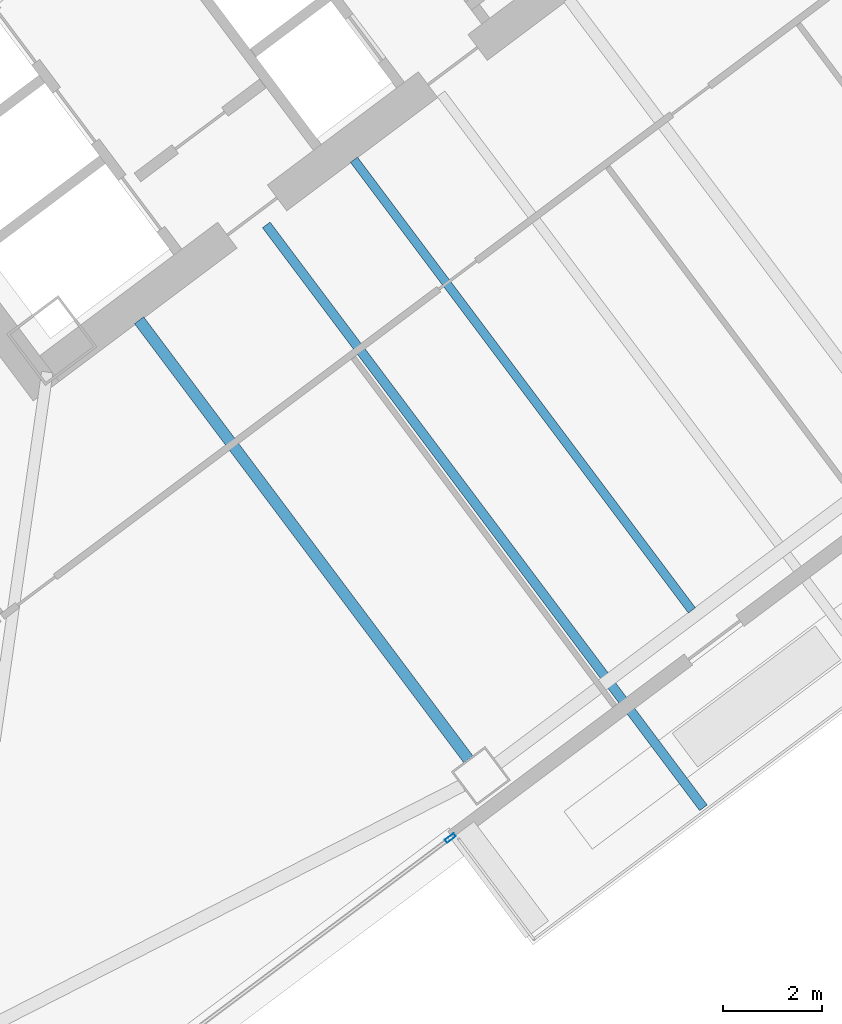
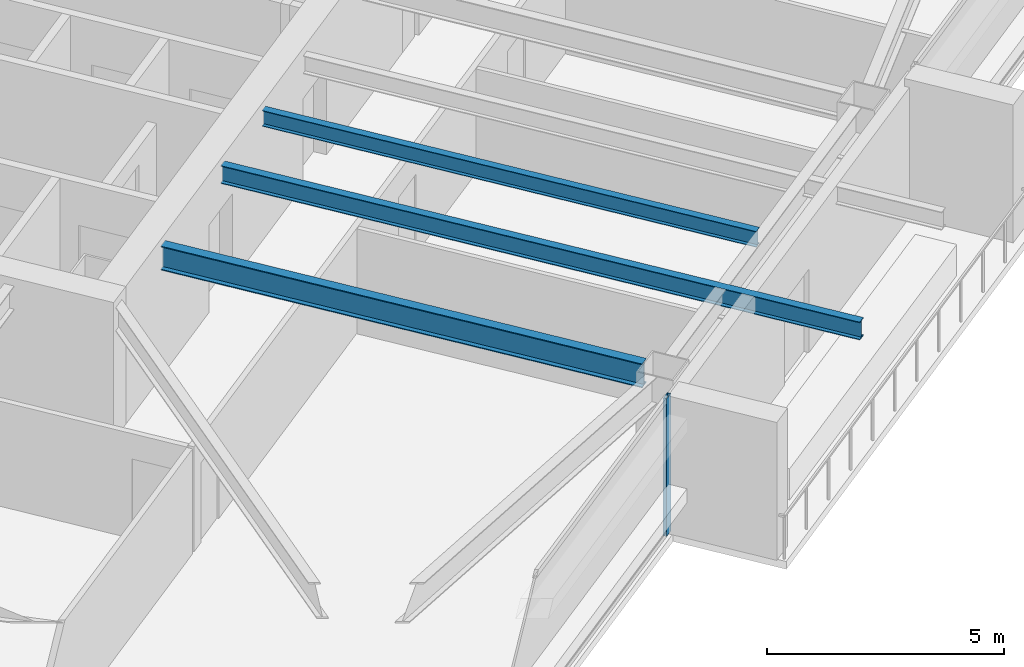
# One storey, part 23 of 46: 3 beams, 1 member, 1 element without a shape of its own.
"""IFC4 building model written with IfcOpenShell, lengths in metres."""

from ifc_helpers import new_model, si_unit, direction, frame, origin, origin_2d, place, context, subcontext, project, spatial, hollow_rectangle, i_section, extrude, material, material_profile, profile_set, type_object, element, aggregate, save


model = new_model("IFC4")

# Units and contexts
model_context = context("Model", 3, precision=1e-05, world=origin(), true_north=direction((0.0, 1.0)))
body_context = subcontext(model_context, "Body", "Model", "MODEL_VIEW")
ifc_project = project(units=[si_unit("LENGTHUNIT", "METRE"), si_unit("AREAUNIT", "SQUARE_METRE"), si_unit("VOLUMEUNIT", "CUBIC_METRE"), si_unit("PLANEANGLEUNIT", "RADIAN"), si_unit("MASSUNIT", "GRAM", prefix="KILO")], contexts=[model_context])

# Site, building, storey
site_placement = place(None, origin())
site = spatial("IfcSite", under=ifc_project, at=site_placement, CompositionType="ELEMENT")
building_placement = place(site_placement, origin())
building = spatial("IfcBuilding", under=site, at=building_placement, Name="Tashvorn Skyway Center", CompositionType="ELEMENT")
storey_placement = place(building_placement, frame((0.0, 0.0, 99.14990234375)))
storey = spatial("IfcBuildingStorey", under=building, at=storey_placement, Name="L26", CompositionType="ELEMENT", Elevation=99.14990234375)

# Beams
ifc_material_1 = material(Name="Steel ASTM A992 Grade 50", Category="steel")
ifc_material_profile_1 = material_profile(ifc_material_1, i_section(OverallWidth=0.22998046875, OverallDepth=0.616943359375, WebThickness=0.01318359375, FlangeThickness=0.022216796875, at=origin_2d()), Name="W24X94")
ifc_profile_set_1 = profile_set([ifc_material_profile_1], Name="Steel ASTM A992 Grade 50")
beam_type_1 = type_object("IfcBeamType", Name="BM-BEAM-W24X94", PredefinedType="BEAM", material=ifc_profile_set_1)
beam_1_placement = place(storey_placement, frame((120.97802734375, 13.696044921875, 3.04150390625), z_axis=(-0.60001414024, 0.799989394625, 0.0), x_axis=(-0.799989394625, -0.60001414024, 0.0)))
element("IfcBeam", 1, at=beam_1_placement, inside=storey, type_object=beam_type_1, Name="Tower 2 L26 Primary Floor Girder FC-S1", PredefinedType="BEAM", context=body_context, shape_type="SweptSolid", body=[
    extrude(i_section(OverallWidth=0.22998046875, OverallDepth=0.616943359375, WebThickness=0.01318359375, FlangeThickness=0.022216796875, at=origin_2d()), origin(), (0.0, 0.0, 1.0), 11.050048828125),
])
ifc_material_profile_2 = material_profile(ifc_material_1, i_section(OverallWidth=0.177978515625, OverallDepth=0.406005859375, WebThickness=0.0078125, FlangeThickness=0.0126953125, at=origin_2d()), Name="W16X40")
ifc_profile_set_2 = profile_set([ifc_material_profile_2], Name="Steel ASTM A992 Grade 50")
beam_type_2 = type_object("IfcBeamType", Name="BM-JOIST-W16X40", PredefinedType="JOIST", material=ifc_profile_set_2)
beam_2_placement = place(storey_placement, frame((118.674072265625, 25.76806640625, 3.147216796875), z_axis=(0.599996555327, -0.800002583493, 0.0), x_axis=(0.800002583493, 0.599996555327, 0.0)))
element("IfcBeam", 2, at=beam_2_placement, inside=storey, type_object=beam_type_2, Name="Tower 2 L26 Secondary Composite Joist JS", PredefinedType="JOIST", context=body_context, shape_type="SweptSolid", body=[
    extrude(i_section(OverallWidth=0.177978515625, OverallDepth=0.406005859375, WebThickness=0.0078125, FlangeThickness=0.0126953125, at=origin_2d()), origin(), (0.0, 0.0, 1.0), 11.340087890625),
])
ifc_material_profile_3 = material_profile(ifc_material_1, i_section(OverallWidth=0.19091796875, OverallDepth=0.4599609375, WebThickness=0.010009765625, FlangeThickness=0.01611328125, at=origin_2d()), Name="W18X55")
ifc_profile_set_3 = profile_set([ifc_material_profile_3], Name="Steel ASTM A992 Grade 50")
beam_type_3 = type_object("IfcBeamType", Name="BM-JOIST-W18X55", PredefinedType="JOIST", material=ifc_profile_set_3)
beam_3_placement = place(storey_placement, frame((116.907958984375, 24.4560546875, 3.1201171875), z_axis=(0.599997337262, -0.800001997047, 0.0), x_axis=(0.800001997047, 0.599997337262, 0.0)))
element("IfcBeam", 3, at=beam_3_placement, inside=storey, type_object=beam_type_3, Name="Tower 2 L27 Terrace Cantilever Outlooker 1", PredefinedType="JOIST", context=body_context, shape_type="SweptSolid", body=[
    extrude(i_section(OverallWidth=0.19091796875, OverallDepth=0.4599609375, WebThickness=0.010009765625, FlangeThickness=0.01611328125, at=origin_2d()), origin(), (0.0, 0.0, 1.0), 14.670166015625),
])

# Curtain wall, member
ifc_material_2 = material(Name="Thermally broken bronze-anodized aluminium 6063-T6", Category="aluminium")
curtain_wall_type = type_object("IfcCurtainWallType", Name="CW-CW-Z2", PredefinedType="NOTDEFINED", material=ifc_material_2)
curtain_wall_placement = place(storey_placement, origin())
curtain_wall = element("IfcCurtainWall", 4, at=curtain_wall_placement, inside=storey, type_object=curtain_wall_type, Name="Tower 2 L26 South Curtain Wall R", PredefinedType="NOTDEFINED")
ifc_material_profile_4 = material_profile(ifc_material_2, hollow_rectangle(XDim=0.080078125, YDim=0.219970703125, WallThickness=0.0048828125, at=origin_2d()), Name="ALU-MULL-80x220")
ifc_profile_set_4 = profile_set([ifc_material_profile_4], Name="Thermally broken bronze-anodized aluminium 6063-T6")
member_type = type_object("IfcMemberType", Name="CWM-CW-Z2", PredefinedType="MULLION", material=ifc_profile_set_4)
member_placement = place(storey_placement, frame((120.615966796875, 12.112060546875, 0.0), z_axis=(0.0, 0.0, 1.0), x_axis=(0.600000000002, -0.799999999998, 0.0)))
member = element("IfcMember", 5, at=member_placement, type_object=member_type, Name="CW-Z2 mullion 1", PredefinedType="MULLION", context=body_context, shape_type="SweptSolid", body=[
    extrude(hollow_rectangle(XDim=0.080078125, YDim=0.219970703125, WallThickness=0.0048828125, at=origin_2d()), origin(), (0.0, 0.0, 1.0), 3.550048828125),
])
aggregate(curtain_wall, [member])

save(model, "model.ifc")
